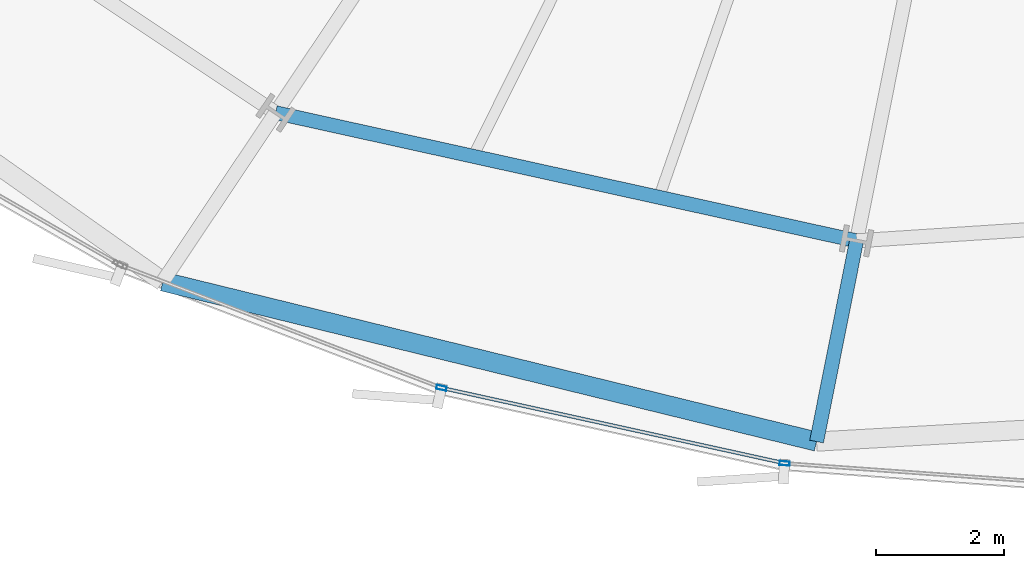
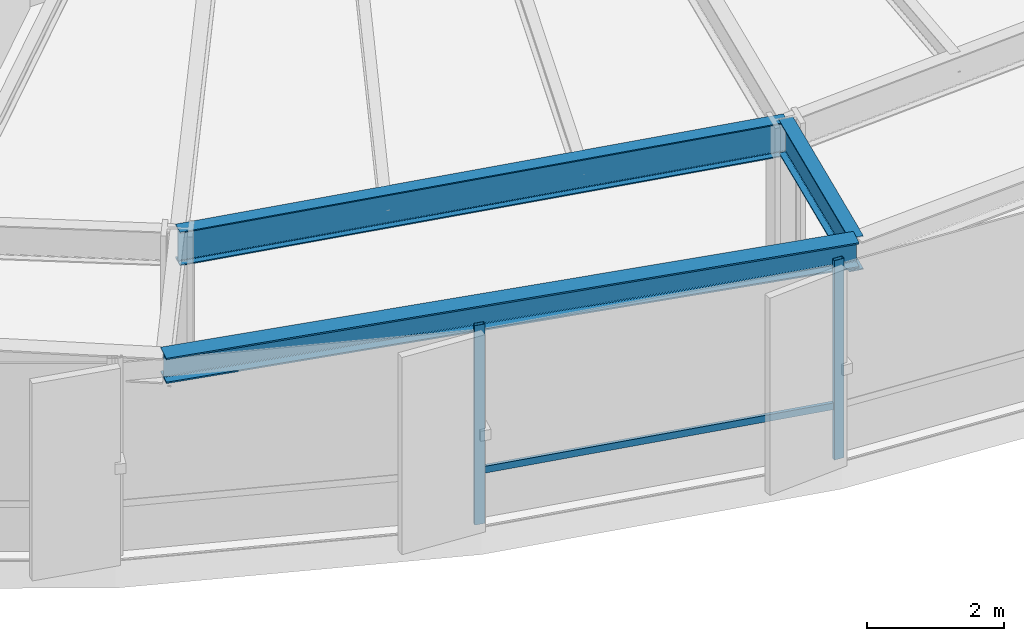
# One storey, part 9 of 38: 3 beams, 3 members, 1 element without a shape of its own.
"""IFC4 building model written with IfcOpenShell, lengths in metres."""

from ifc_helpers import new_model, si_unit, direction, frame, origin, origin_2d, place, context, subcontext, project, spatial, hollow_rectangle, i_section, extrude, source, transform, mapped, material, layer, layer_set, material_profile, profile_set, type_object, element, aggregate, save


model = new_model("IFC4")

# Units and contexts
model_context = context("Model", 3, precision=1e-05, world=origin(), true_north=direction((0.0, 1.0)))
body_context = subcontext(model_context, "Body", "Model", "MODEL_VIEW")
ifc_project = project(units=[si_unit("LENGTHUNIT", "METRE"), si_unit("AREAUNIT", "SQUARE_METRE"), si_unit("VOLUMEUNIT", "CUBIC_METRE"), si_unit("PLANEANGLEUNIT", "RADIAN"), si_unit("MASSUNIT", "GRAM", prefix="KILO"), si_unit("THERMODYNAMICTEMPERATUREUNIT", "KELVIN")], contexts=[model_context])

# Site, building, storey
site_placement = place(None, origin())
site = spatial("IfcSite", under=ifc_project, at=site_placement, CompositionType="ELEMENT")
building_placement = place(site_placement, origin())
building = spatial("IfcBuilding", under=site, at=building_placement, Name="Kethvar Cultural Tower", CompositionType="ELEMENT")
storey_placement = place(building_placement, frame((0.0, 0.0, 29.60009765625)))
storey = spatial("IfcBuildingStorey", under=building, at=storey_placement, Name="L06", CompositionType="ELEMENT", Elevation=29.60009765625)

# Beams
ifc_material_1 = material(Name="Steel S355J2", Category="steel")
ifc_material_profile_1 = material_profile(ifc_material_1, i_section(OverallWidth=0.219970703125, OverallDepth=0.60009765625, WebThickness=0.011962890625, FlangeThickness=0.01904296875, FilletRadius=0.02392578125, at=origin_2d()), Name="Steel S355J2 — IPE600")
ifc_profile_set_1 = profile_set([ifc_material_profile_1], Name="Steel S355J2 — IPE600")
beam_type_1 = type_object("IfcBeamType", Name="BM-IPE600", PredefinedType="BEAM", material=ifc_profile_set_1)
shared_shape_1 = source(origin(), body_context, "Body", "SweptSolid", [
    extrude(i_section(OverallWidth=0.219970703125, OverallDepth=0.60009765625, WebThickness=0.011962890625, FlangeThickness=0.01904296875, FilletRadius=0.02392578125, at=origin_2d()), origin(), (0.0, 0.0, 1.0), 3.2001953125),
])
beam_1_placement = place(storey_placement, frame((42.38330078125, 5.59619140625, 3.247802734375), z_axis=(-0.195074368086, -0.980788453702, 0.0), x_axis=(0.980788453702, -0.195074368086, 0.0)))
element("IfcBeam", 1, at=beam_1_placement, inside=storey, type_object=beam_type_1, Name="L06 Perimeter Cantilever Beam RC-12", PredefinedType="BEAM", context=body_context, shape_type="MappedRepresentation", body=[
    mapped(shared_shape_1, transform((0.0, 0.0, 0.0), scale=1.0)),
])
shared_shape_2 = source(origin(), body_context, "Body", "SweptSolid", [
    extrude(i_section(OverallWidth=0.219970703125, OverallDepth=0.60009765625, WebThickness=0.011962890625, FlangeThickness=0.01904296875, FilletRadius=0.02392578125, at=origin_2d()), origin(), (0.0, 0.0, 1.0), 9.299560546875),
])
beam_2_placement = place(storey_placement, frame((33.302001953125, 7.598876953125, 3.247802734375), z_axis=(0.976536034872, -0.21535406334, 0.0), x_axis=(0.21535406334, 0.976536034872, 0.0)))
element("IfcBeam", 2, at=beam_2_placement, inside=storey, type_object=beam_type_1, Name="L06 Column Ring Tie Beam CR-11", PredefinedType="BEAM", context=body_context, shape_type="MappedRepresentation", body=[
    mapped(shared_shape_2, transform((0.0, 0.0, 0.0), scale=1.0)),
])
ifc_material_profile_2 = material_profile(ifc_material_1, i_section(OverallWidth=0.300048828125, OverallDepth=0.449951171875, WebThickness=0.013916015625, FlangeThickness=0.02587890625, FilletRadius=0.027099609375, at=origin_2d()), Name="Steel S355J2 — HEB450")
ifc_profile_set_2 = profile_set([ifc_material_profile_2], Name="Steel S355J2 — HEB450")
beam_type_2 = type_object("IfcBeamType", Name="BM-SP450", PredefinedType="SPANDREL", material=ifc_profile_set_2)
shared_shape_3 = source(origin(), body_context, "Body", "SweptSolid", [
    extrude(i_section(OverallWidth=0.300048828125, OverallDepth=0.449951171875, WebThickness=0.013916015625, FlangeThickness=0.02587890625, FilletRadius=0.027099609375, at=origin_2d()), origin(), (0.0, 0.0, 1.0), 10.52197265625),
])
beam_3_placement = place(storey_placement, frame((31.5390625, 4.96044921875, 3.322998046875), z_axis=(0.971295561133, -0.237875877135, 0.0), x_axis=(0.237875877135, 0.971295561133, 0.0)))
element("IfcBeam", 3, at=beam_3_placement, inside=storey, type_object=beam_type_2, Name="L06 Perimeter Spandrel Beam SP-11", PredefinedType="SPANDREL", context=body_context, shape_type="MappedRepresentation", body=[
    mapped(shared_shape_3, transform((0.0, 0.0, 0.0), scale=1.0)),
])

# Curtain wall, members
ifc_material_2 = material(Name="Aluminium 6063-T6", Category="aluminium")
ifc_layer = layer(ifc_material_2, 0.179931640625, Name="Aluminium 6063-T6", Category="aluminium")
ifc_layer_set = layer_set([ifc_layer], Name="Aluminium 6063-T6 (180 mm)")
curtain_wall_type = type_object("IfcCurtainWallType", Name="CW-SYS-02-Z1", PredefinedType="NOTDEFINED", material=ifc_layer_set)
curtain_wall_placement = place(storey_placement, origin())
curtain_wall = element("IfcCurtainWall", 4, at=curtain_wall_placement, inside=storey, type_object=curtain_wall_type, Name="L06 Curtain Wall Run 05", PredefinedType="NOTDEFINED")
ifc_material_profile_3 = material_profile(ifc_material_2, hollow_rectangle(XDim=0.06494140625, YDim=0.159912109375, WallThickness=0.0048828125, at=origin_2d()), Name="Aluminium 6063-T6 — RHS160x65x5")
ifc_profile_set_3 = profile_set([ifc_material_profile_3], Name="Aluminium 6063-T6 — RHS160x65x5")
member_type_1 = type_object("IfcMemberType", Name="CW-SYS-02-Z1-MUL", PredefinedType="MULLION", material=ifc_profile_set_3)
shared_shape_4 = source(origin(), body_context, "Body", "SweptSolid", [
    extrude(hollow_rectangle(XDim=0.06494140625, YDim=0.159912109375, WallThickness=0.0048828125, at=origin_2d()), origin(), (0.0, 0.0, 1.0), 3.5498046875),
])
member_1_placement = place(storey_placement, frame((35.894775390625, 3.29736328125, 0.0), z_axis=(0.0, 0.0, 1.0), x_axis=(0.214564862428, 0.976709741843, 0.0)))
member_1 = element("IfcMember", 5, at=member_1_placement, type_object=member_type_1, Name="CW-L06-R05 Mullion 2", PredefinedType="MULLION", context=body_context, shape_type="MappedRepresentation", body=[
    mapped(shared_shape_4, transform((0.0, 0.0, 0.0), scale=1.0)),
])
member_2_placement = place(storey_placement, frame((41.2587890625, 2.11767578125, 0.0), z_axis=(0.0, 0.0, 1.0), x_axis=(0.071532261541, 0.997438286592, 0.0)))
member_2 = element("IfcMember", 6, at=member_2_placement, type_object=member_type_1, Name="CW-L06-R05 Mullion 3", PredefinedType="MULLION", context=body_context, shape_type="MappedRepresentation", body=[
    mapped(shared_shape_4, transform((0.0, 0.0, 0.0), scale=1.0)),
])
ifc_material_profile_4 = material_profile(ifc_material_2, hollow_rectangle(XDim=0.054931640625, YDim=0.1201171875, WallThickness=0.00390625, at=origin_2d()), Name="Aluminium 6063-T6 — RHS120x55x4")
ifc_profile_set_4 = profile_set([ifc_material_profile_4], Name="Aluminium 6063-T6 — RHS120x55x4")
member_type_2 = type_object("IfcMemberType", Name="CW-SYS-02-Z1-TRN", PredefinedType="USERDEFINED", material=ifc_profile_set_4)
shared_shape_5 = source(origin(), body_context, "Body", "SweptSolid", [
    extrude(hollow_rectangle(XDim=0.054931640625, YDim=0.1201171875, WallThickness=0.00390625, at=origin_2d()), origin(), (0.0, 0.0, 1.0), 5.416015625),
])
member_3_placement = place(storey_placement, frame((35.9404296875, 3.287353515625, 0.949951171875), z_axis=(0.976708179789, -0.214571972852, 0.0), x_axis=(0.214571972852, 0.976708179789, 0.0)))
member_3 = element("IfcMember", 7, at=member_3_placement, type_object=member_type_2, Name="CW-L06-R05 Transom 2", ObjectType="TRANSOM", PredefinedType="USERDEFINED", context=body_context, shape_type="MappedRepresentation", body=[
    mapped(shared_shape_5, transform((0.0, 0.0, 0.0), scale=1.0)),
])
aggregate(curtain_wall, [member_1, member_2, member_3])

save(model, "model.ifc")
